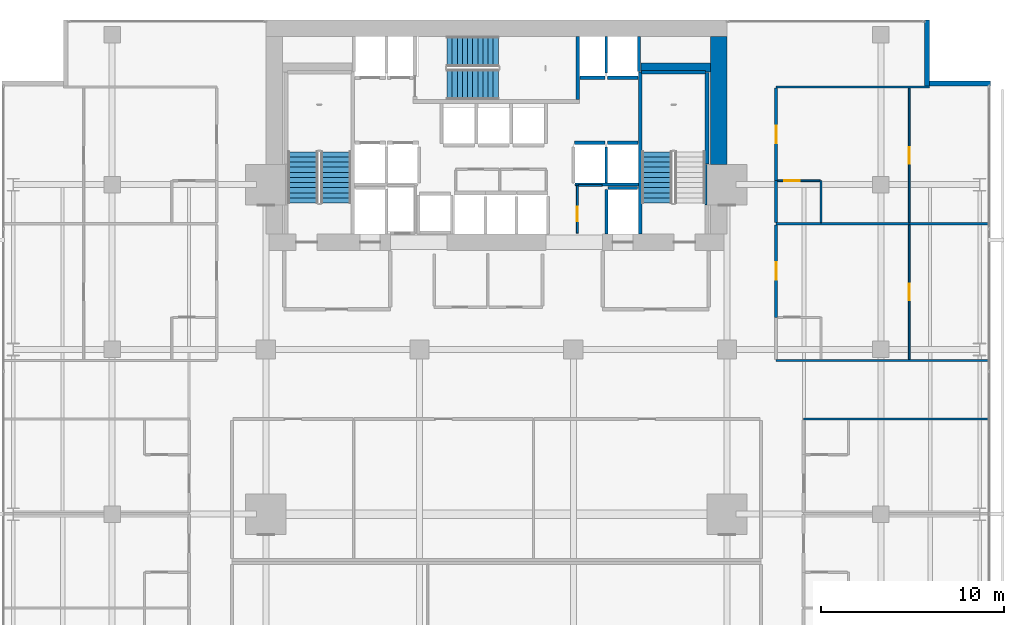
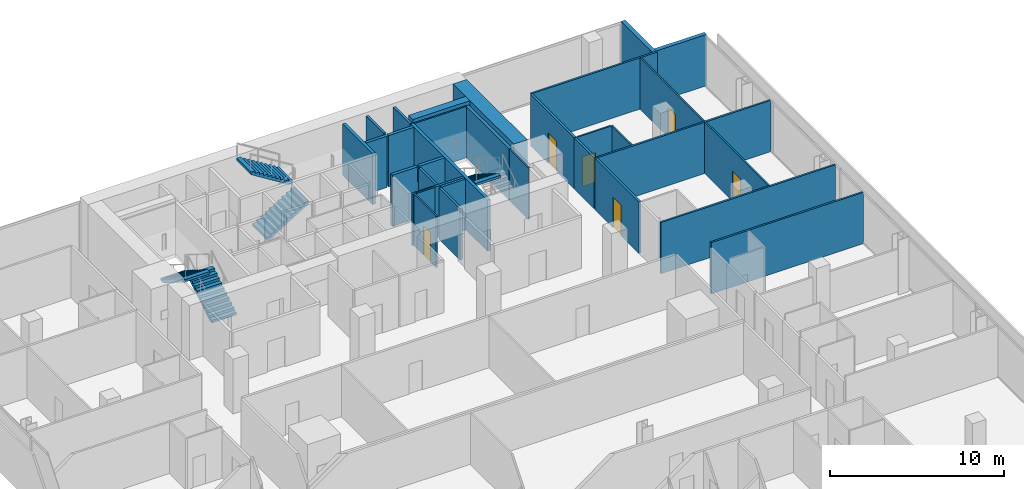
# One storey, part 37 of 40: 32 walls, 6 doors, 5 stair flights, 6 openings, 3 elements without a shape of their own.
"""IFC4 building model written with IfcOpenShell, lengths in metres."""

from ifc_helpers import new_model, si_unit, direction, frame, frame_2d, origin, place, context, subcontext, project, spatial, polyline, rectangle, outline, extrude, material, layer, layer_set, type_object, element, fill, aggregate, save


model = new_model("IFC4")

# Units and contexts
model_context = context("Model", 3, precision=1e-05, world=origin(), true_north=direction((0.0, 1.0)))
body_context = subcontext(model_context, "Body", "Model", "MODEL_VIEW")
ifc_project = project(units=[si_unit("LENGTHUNIT", "METRE"), si_unit("AREAUNIT", "SQUARE_METRE"), si_unit("VOLUMEUNIT", "CUBIC_METRE"), si_unit("PLANEANGLEUNIT", "RADIAN"), si_unit("MASSUNIT", "GRAM", prefix="KILO")], contexts=[model_context])

# Site, building, storey
site_placement = place(None, origin())
site = spatial("IfcSite", under=ifc_project, at=site_placement, CompositionType="ELEMENT")
building_placement = place(site_placement, origin())
building = spatial("IfcBuilding", under=site, at=building_placement, Name="Maruvema Waterfront Hotel and Observation Tower", CompositionType="ELEMENT")
storey_placement = place(building_placement, frame((0.0, 0.0, 50.050048828125)))
storey = spatial("IfcBuildingStorey", under=building, at=storey_placement, Name="L11", CompositionType="ELEMENT", Elevation=50.050048828125)

# Wall, opening, door
ifc_material_1 = material(Name="Twin-stud acoustic gypsum drywall", Category="gypsum")
ifc_layer_1 = layer(ifc_material_1, 0.14990234375, Name="Acoustic Corridor and Suite Demising Wall 150 mm")
ifc_layer_set_1 = layer_set([ifc_layer_1], Name="Twin-stud acoustic gypsum drywall")
wall_type_1 = type_object("IfcWallType", Name="Acoustic Corridor and Suite Demising Wall 150 mm", PredefinedType="PARTITIONING", material=ifc_layer_set_1)
wall_1_placement = place(storey_placement, frame((53.080078125, 37.75, 0.0), z_axis=(0.0, 0.0, 1.0), x_axis=(0.0, 1.0, 0.0)))
wall_1 = element("IfcWall", 1, at=wall_1_placement, inside=storey, type_object=wall_type_1, Name="L11 Room L11-NE1 Corridor Wall 107", PredefinedType="PARTITIONING", context=body_context, shape_type="SweptSolid", body=[
    extrude(rectangle(XDim=5.05859375, YDim=0.14990234375, at=frame_2d((2.529296875, 0.0))), origin(), (0.0, 0.0, 1.0), 3.60986328125),
])
opening_1_placement = place(wall_1_placement, frame((2.054443359375, 0.0, 0.0)))
opening_1 = element("IfcOpeningElement", 2, at=opening_1_placement, cuts=wall_1, Name="Opening DR-095", PredefinedType="OPENING", context=body_context, shape_type="SweptSolid", body=[
    extrude(rectangle(XDim=0.949951171875, YDim=2.14990234375, at=frame_2d((0.47509765625, 1.074951171875))), frame((0.0, 0.0849609375, 0.0), z_axis=(0.0, -1.0, 0.0), x_axis=(1.0, 0.0, 0.0)), (0.0, 0.0, 1.0), 0.169921875),
])
ifc_material_2 = material(Name="Acoustic solid-core hardwood timber leaf", Category="wood")
door_type_1 = type_object("IfcDoorType", Name="Guestroom Entrance Fire Door 950x2150 mm", OperationType="NOTDEFINED", PredefinedType="DOOR", material=ifc_material_2)
door_1_placement = place(opening_1_placement, frame((0.949951171875, 0.0, 0.0), z_axis=(0.0, 0.0, 1.0), x_axis=(-1.0, 0.0, 0.0)))
door_1 = element("IfcDoor", 3, at=door_1_placement, inside=storey, type_object=door_type_1, Name="L11 Room L11-NE1 Entrance Door", OperationType="SINGLE_SWING_LEFT", OverallHeight=2.14990234375, OverallWidth=0.949951171875, PredefinedType="DOOR", context=body_context, shape_type="SweptSolid", body=[
    extrude(rectangle(XDim=0.949951171875, YDim=2.14990234375, at=frame_2d((0.47509765625, 1.074951171875))), frame((0.0, 0.02490234375, 0.0), z_axis=(0.0, -1.0, 0.0), x_axis=(1.0, 0.0, 0.0)), (0.0, 0.0, 1.0), 0.050048828125),
])
fill(opening_1, door_1)

# Wall
wall_2_placement = place(storey_placement, frame((53.080078125, 42.9287109375, 0.0), z_axis=(0.0, 0.0, 1.0), x_axis=(0.0, 1.0, 0.0)))
element("IfcWall", 4, at=wall_2_placement, inside=storey, type_object=wall_type_1, Name="L11 Bath L11-NE2 Wall 118", PredefinedType="PARTITIONING", context=body_context, shape_type="SweptSolid", body=[
    extrude(rectangle(XDim=2.2900390625, YDim=0.14990234375, at=frame_2d((1.14501953125, 0.0))), origin(), (0.0, 0.0, 1.0), 3.60986328125),
])

# Wall, opening, door
wall_3_placement = place(storey_placement, frame((53.080078125, 45.21875, 0.0), z_axis=(0.0, 0.0, 1.0), x_axis=(0.0, 1.0, 0.0)))
wall_3 = element("IfcWall", 5, at=wall_3_placement, inside=storey, type_object=wall_type_1, Name="L11 Room L11-NE2 Corridor Wall 119", PredefinedType="PARTITIONING", context=body_context, shape_type="SweptSolid", body=[
    extrude(rectangle(XDim=5.058837890625, YDim=0.14990234375, at=frame_2d((2.529296875, 0.0))), origin(), (0.0, 0.0, 1.0), 3.60986328125),
])
opening_2_placement = place(wall_3_placement, frame((2.054443359375, 0.0, 0.0)))
opening_2 = element("IfcOpeningElement", 6, at=opening_2_placement, cuts=wall_3, Name="Opening DR-095", PredefinedType="OPENING", context=body_context, shape_type="SweptSolid", body=[
    extrude(rectangle(XDim=0.949951171875, YDim=2.14990234375, at=frame_2d((0.47509765625, 1.074951171875))), frame((0.0, 0.0849609375, 0.0), z_axis=(0.0, -1.0, 0.0), x_axis=(1.0, 0.0, 0.0)), (0.0, 0.0, 1.0), 0.169921875),
])
door_2_placement = place(opening_2_placement, frame((0.949951171875, 0.0, 0.0), z_axis=(0.0, 0.0, 1.0), x_axis=(-1.0, 0.0, 0.0)))
door_2 = element("IfcDoor", 7, at=door_2_placement, inside=storey, type_object=door_type_1, Name="L11 Room L11-NE2 Entrance Door", OperationType="SINGLE_SWING_LEFT", OverallHeight=2.14990234375, OverallWidth=0.949951171875, PredefinedType="DOOR", context=body_context, shape_type="SweptSolid", body=[
    extrude(rectangle(XDim=0.949951171875, YDim=2.14990234375, at=frame_2d((0.47509765625, 1.074951171875))), frame((0.0, 0.02490234375, 0.0), z_axis=(0.0, -1.0, 0.0), x_axis=(1.0, 0.0, 0.0)), (0.0, 0.0, 1.0), 0.050048828125),
])
fill(opening_2, door_2)

# Walls
ifc_material_3 = material(Name="Precast concrete C45/55", Category="concrete")
ifc_layer_2 = layer(ifc_material_3, 0.199951171875, Name="Core Shaft and Stairwell Enclosure Wall 200 mm")
ifc_layer_set_2 = layer_set([ifc_layer_2], Name="Precast concrete C45/55")
wall_type_2 = type_object("IfcWallType", Name="Core Shaft and Stairwell Enclosure Wall 200 mm", PredefinedType="SOLIDWALL", material=ifc_layer_set_2)
wall_4_placement = place(storey_placement, frame((42.25, 49.64990234375, 0.0), z_axis=(0.0, 0.0, 1.0), x_axis=(0.0, 1.0, 0.0)))
element("IfcWall", 8, at=wall_4_placement, inside=storey, type_object=wall_type_2, Name="L11 Stairwell ST-02 Shaft Wall", PredefinedType="SOLIDWALL", context=body_context, shape_type="SweptSolid", body=[
    extrude(rectangle(XDim=3.4501953125, YDim=0.199951171875, at=frame_2d((1.72509765625, 0.0))), origin(), (0.0, 0.0, 1.0), 3.60986328125),
])
wall_5_placement = place(storey_placement, frame((45.64990234375, 42.300048828125, 0.0), z_axis=(0.0, 0.0, 1.0), x_axis=(0.0, 1.0, 0.0)))
element("IfcWall", 9, at=wall_5_placement, inside=storey, type_object=wall_type_2, Name="L11 Stairwell ST-03 West Shaft Wall", PredefinedType="SOLIDWALL", context=body_context, shape_type="SweptSolid", body=[
    extrude(rectangle(XDim=8.849853515625, YDim=0.199951171875, at=frame_2d((4.4248046875, 0.0))), origin(), (0.0, 0.0, 1.0), 3.60986328125),
])
wall_6_placement = place(storey_placement, frame((49.300048828125, 46.1201171875, 0.0), z_axis=(0.0, 0.0, 1.0), x_axis=(0.0, 1.0, 0.0)))
element("IfcWall", 10, at=wall_6_placement, inside=storey, type_object=wall_type_2, Name="L11 Stairwell ST-03 Shaft Lining Wall", PredefinedType="SOLIDWALL", context=body_context, shape_type="SweptSolid", body=[
    extrude(rectangle(XDim=5.0, YDim=0.199951171875, at=frame_2d((2.5, 0.0))), origin(), (0.0, 0.0, 1.0), 3.60986328125),
])
wall_7_placement = place(storey_placement, frame((45.719970703125, 51.14990234375, 0.0), z_axis=(0.0, 0.0, 1.0), x_axis=(1.0, 0.0, 0.0)))
element("IfcWall", 11, at=wall_7_placement, inside=storey, type_object=wall_type_2, Name="L11 Stairwell ST-03 Shaft Lining Wall", PredefinedType="SOLIDWALL", context=body_context, shape_type="SweptSolid", body=[
    extrude(rectangle(XDim=3.5, YDim=0.199951171875, at=frame_2d((1.75, 0.0))), origin(), (0.0, 0.0, 1.0), 3.60986328125),
])
for number, where, z_axis, x_axis, name in (
    (12, (42.06005859375, 47.300048828125, 0.0), (0.0, 0.0, 1.0), (1.0, 0.0, 0.0), "L11 Lift LF-05 Hoistway Front Wall"),
    (13, (43.860107421875, 47.300048828125, 0.0), (0.0, 0.0, 1.0), (1.0, 0.0, 0.0), "L11 Lift LF-06 Hoistway Front Wall"),
):
    element("IfcWall", number, at=place(storey_placement, frame(where, z_axis=z_axis, x_axis=x_axis)), inside=storey, type_object=wall_type_2, Name=name, PredefinedType="SOLIDWALL", context=body_context, shape_type="SweptSolid", body=[
        extrude(rectangle(XDim=1.679931640625, YDim=0.199951171875, at=frame_2d((0.83984375, 0.0))), origin(), (0.0, 0.0, 1.0), 3.60986328125),
    ])
wall_8_placement = place(storey_placement, frame((42.360107421875, 50.85009765625, 0.0), z_axis=(0.0, 0.0, 1.0), x_axis=(1.0, 0.0, 0.0)))
element("IfcWall", 14, at=wall_8_placement, inside=storey, type_object=wall_type_2, Name="L11 Lift LF-07 Hoistway Front Wall", PredefinedType="SOLIDWALL", context=body_context, shape_type="SweptSolid", body=[
    extrude(rectangle(XDim=1.3798828125, YDim=0.199951171875, at=frame_2d((0.68994140625, 0.0))), origin(), (0.0, 0.0, 1.0), 3.60986328125),
])
wall_9_placement = place(storey_placement, frame((43.860107421875, 50.85009765625, 0.0), z_axis=(0.0, 0.0, 1.0), x_axis=(1.0, 0.0, 0.0)))
element("IfcWall", 15, at=wall_9_placement, inside=storey, type_object=wall_type_2, Name="L11 Lift LF-08 Hoistway Front Wall", PredefinedType="SOLIDWALL", context=body_context, shape_type="SweptSolid", body=[
    extrude(rectangle(XDim=1.679931640625, YDim=0.199951171875, at=frame_2d((0.83984375, 0.0))), origin(), (0.0, 0.0, 1.0), 3.60986328125),
])
ifc_material_4 = material(Name="Concrete C70/85", Category="concrete")
ifc_layer_3 = layer(ifc_material_4, 0.5, Name="Core Shear Wall 500 mm")
ifc_layer_set_3 = layer_set([ifc_layer_3], Name="Concrete C70/85")
wall_type_3 = type_object("IfcWallType", Name="Core Shear Wall 500 mm", PredefinedType="SHEAR", material=ifc_layer_set_3)
wall_10_placement = place(storey_placement, frame((45.699951171875, 51.39990234375, 0.0), z_axis=(0.0, 0.0, 1.0), x_axis=(1.0, 0.0, 0.0)))
element("IfcWall", 16, at=wall_10_placement, inside=storey, type_object=wall_type_3, Name="L11 Internal Core Shear Wall NE 500 mm", PredefinedType="SHEAR", context=body_context, shape_type="SweptSolid", body=[
    extrude(rectangle(XDim=3.800048828125, YDim=0.5, at=frame_2d((1.89990234375, 0.0))), origin(), (0.0, 0.0, 1.0), 3.849853515625),
])
ifc_material_5 = material(Name="Concrete C80/95", Category="concrete")
ifc_layer_4 = layer(ifc_material_5, 0.89990234375, Name="Core Shear Wall 900 mm")
ifc_layer_set_4 = layer_set([ifc_layer_4], Name="Concrete C80/95")
wall_type_4 = type_object("IfcWallType", Name="Core Shear Wall 900 mm", PredefinedType="SHEAR", material=ifc_layer_set_4)
wall_11_placement = place(storey_placement, frame((49.949951171875, 46.10009765625, 0.0), z_axis=(0.0, 0.0, 1.0), x_axis=(0.0, 1.0, 0.0)))
element("IfcWall", 17, at=wall_11_placement, inside=storey, type_object=wall_type_4, Name="L11 East-North Core Shear Wall", PredefinedType="SHEAR", context=body_context, shape_type="SweptSolid", body=[
    extrude(rectangle(XDim=7.0, YDim=0.89990234375, at=frame_2d((3.5, 0.0))), origin(), (0.0, 0.0, 1.0), 3.849853515625),
])

# Wall, opening, door
ifc_material_6 = material(Name="Moisture-resistant cement-board drywall", Category="gypsum")
ifc_layer_5 = layer(ifc_material_6, 0.10009765625, Name="En-Suite Moisture-Resistant Partition 100 mm")
ifc_layer_set_5 = layer_set([ifc_layer_5], Name="Moisture-resistant cement-board drywall")
wall_type_5 = type_object("IfcWallType", Name="En-Suite Moisture-Resistant Partition 100 mm", PredefinedType="PARTITIONING", material=ifc_layer_set_5)
wall_12_placement = place(storey_placement, frame((42.219970703125, 42.35009765625, 0.0), z_axis=(0.0, 0.0, 1.0), x_axis=(0.0, 1.0, 0.0)))
wall_12 = element("IfcWall", 18, at=wall_12_placement, inside=storey, type_object=wall_type_5, Name="L11 Core Closet K2C West 015", PredefinedType="PARTITIONING", context=body_context, shape_type="SweptSolid", body=[
    extrude(rectangle(XDim=2.60986328125, YDim=0.10009765625, at=frame_2d((1.304931640625, 0.0))), origin(), (0.0, 0.0, 1.0), 3.60986328125),
])
opening_3_placement = place(wall_12_placement, frame((0.64990234375, 0.0, 0.0)))
opening_3 = element("IfcOpeningElement", 19, at=opening_3_placement, cuts=wall_12, Name="Opening DR-080", PredefinedType="OPENING", context=body_context, shape_type="SweptSolid", body=[
    extrude(rectangle(XDim=0.800048828125, YDim=2.050048828125, at=frame_2d((0.39990234375, 1.02490234375))), frame((0.0, 0.06005859375, 0.0), z_axis=(0.0, -1.0, 0.0), x_axis=(1.0, 0.0, 0.0)), (0.0, 0.0, 1.0), 0.1201171875),
])
ifc_material_7 = material(Name="Powder-coated steel access leaf", Category="steel")
door_type_2 = type_object("IfcDoorType", Name="Riser and Service Cupboard Door 800x2050 mm", OperationType="NOTDEFINED", PredefinedType="DOOR", material=ifc_material_7)
door_3_placement = place(opening_3_placement, frame((0.800048828125, 0.0, 0.0), z_axis=(0.0, 0.0, 1.0), x_axis=(-1.0, 0.0, 0.0)))
door_3 = element("IfcDoor", 20, at=door_3_placement, inside=storey, type_object=door_type_2, Name="L11 Core Housekeeping Closet Door", OperationType="SINGLE_SWING_LEFT", OverallHeight=2.050048828125, OverallWidth=0.800048828125, PredefinedType="DOOR", context=body_context, shape_type="SweptSolid", body=[
    extrude(rectangle(XDim=0.800048828125, YDim=2.050048828125, at=frame_2d((0.39990234375, 1.02490234375))), frame((0.0, 0.02490234375, 0.0), z_axis=(0.0, -1.0, 0.0), x_axis=(1.0, 0.0, 0.0)), (0.0, 0.0, 1.0), 0.050048828125),
])
fill(opening_3, door_3)

# Wall
wall_13_placement = place(storey_placement, frame((42.280029296875, 44.9599609375, 0.0), z_axis=(0.0, 0.0, 1.0), x_axis=(1.0, 0.0, 0.0)))
element("IfcWall", 21, at=wall_13_placement, inside=storey, type_object=wall_type_5, Name="L11 Core Closet K2C North 016", PredefinedType="PARTITIONING", context=body_context, shape_type="SweptSolid", body=[
    extrude(rectangle(XDim=1.300048828125, YDim=0.10009765625, at=frame_2d((0.64990234375, 0.0))), origin(), (0.0, 0.0, 1.0), 3.60986328125),
])

# Wall, opening, door
wall_14_placement = place(storey_placement, frame((60.350341796875, 35.4599609375, 0.0), z_axis=(0.0, 0.0, 1.0), x_axis=(0.0, 1.0, 0.0)))
wall_14 = element("IfcWall", 22, at=wall_14_placement, inside=storey, type_object=wall_type_5, Name="L11 Suite L11-NE1 Split 110", PredefinedType="PARTITIONING", context=body_context, shape_type="SweptSolid", body=[
    extrude(rectangle(XDim=7.3486328125, YDim=0.10009765625, at=frame_2d((3.67431640625, 0.0))), origin(), (0.0, 0.0, 1.0), 3.60986328125),
])
opening_4_placement = place(wall_14_placement, frame((3.224365234375, 0.0, 0.0)))
opening_4 = element("IfcOpeningElement", 23, at=opening_4_placement, cuts=wall_14, Name="Opening DR-090", PredefinedType="OPENING", context=body_context, shape_type="SweptSolid", body=[
    extrude(rectangle(XDim=0.89990234375, YDim=2.10009765625, at=frame_2d((0.449951171875, 1.050048828125))), frame((0.0, 0.06005859375, 0.0), z_axis=(0.0, -1.0, 0.0), x_axis=(1.0, 0.0, 0.0)), (0.0, 0.0, 1.0), 0.1201171875),
])
ifc_material_8 = material(Name="Solid-core lacquered timber leaf", Category="wood")
door_type_3 = type_object("IfcDoorType", Name="Accessible Toilet and Room Door 900x2100 mm", OperationType="NOTDEFINED", PredefinedType="DOOR", material=ifc_material_8)
door_4_placement = place(opening_4_placement, frame((0.89990234375, 0.0, 0.0), z_axis=(0.0, 0.0, 1.0), x_axis=(-1.0, 0.0, 0.0)))
door_4 = element("IfcDoor", 24, at=door_4_placement, inside=storey, type_object=door_type_3, Name="L11 Suite L11-NE1 Bedroom Door", OperationType="SINGLE_SWING_RIGHT", OverallHeight=2.10009765625, OverallWidth=0.89990234375, PredefinedType="DOOR", context=body_context, shape_type="SweptSolid", body=[
    extrude(rectangle(XDim=0.89990234375, YDim=2.10009765625, at=frame_2d((0.449951171875, 1.050048828125))), frame((0.0, 0.02490234375, 0.0), z_axis=(0.0, -1.0, 0.0), x_axis=(1.0, 0.0, 0.0)), (0.0, 0.0, 1.0), 0.050048828125),
])
fill(opening_4, door_4)

# Wall
wall_15_placement = place(storey_placement, frame((55.530029296875, 42.9287109375, 0.0), z_axis=(0.0, 0.0, 1.0), x_axis=(0.0, 1.0, 0.0)))
element("IfcWall", 25, at=wall_15_placement, inside=storey, type_object=wall_type_5, Name="L11 En-Suite L11-NE2 E 120", PredefinedType="PARTITIONING", context=body_context, shape_type="SweptSolid", body=[
    extrude(rectangle(XDim=2.2900390625, YDim=0.10009765625, at=frame_2d((1.14501953125, 0.0))), origin(), (0.0, 0.0, 1.0), 3.60986328125),
])

# Wall, opening, door
wall_16_placement = place(storey_placement, frame((53.179931640625, 45.21875, 0.0), z_axis=(0.0, 0.0, 1.0), x_axis=(1.0, 0.0, 0.0)))
wall_16 = element("IfcWall", 26, at=wall_16_placement, inside=storey, type_object=wall_type_5, Name="L11 En-Suite L11-NE2 N 121", PredefinedType="PARTITIONING", context=body_context, shape_type="SweptSolid", body=[
    extrude(rectangle(XDim=2.300048828125, YDim=0.10009765625, at=frame_2d((1.14990234375, 0.0))), origin(), (0.0, 0.0, 1.0), 3.60986328125),
])
opening_5_placement = place(wall_16_placement, frame((0.35009765625, 0.0, 0.0)))
opening_5 = element("IfcOpeningElement", 27, at=opening_5_placement, cuts=wall_16, Name="Opening DR-085", PredefinedType="OPENING", context=body_context, shape_type="SweptSolid", body=[
    extrude(rectangle(XDim=0.85009765625, YDim=2.10009765625, at=frame_2d((0.425048828125, 1.050048828125))), frame((0.0, 0.06005859375, 0.0), z_axis=(0.0, -1.0, 0.0), x_axis=(1.0, 0.0, 0.0)), (0.0, 0.0, 1.0), 0.1201171875),
])
ifc_material_9 = material(Name="Moisture-resistant solid timber leaf", Category="wood")
door_type_4 = type_object("IfcDoorType", Name="En-Suite Bathroom Door 850x2100 mm", OperationType="NOTDEFINED", PredefinedType="DOOR", material=ifc_material_9)
door_5_placement = place(opening_5_placement, origin())
door_5 = element("IfcDoor", 28, at=door_5_placement, inside=storey, type_object=door_type_4, Name="L11 En-Suite L11-NE2 Door", OperationType="SINGLE_SWING_RIGHT", OverallHeight=2.10009765625, OverallWidth=0.85009765625, PredefinedType="DOOR", context=body_context, shape_type="SweptSolid", body=[
    extrude(rectangle(XDim=0.85009765625, YDim=2.10009765625, at=frame_2d((0.425048828125, 1.050048828125))), frame((0.0, 0.02490234375, 0.0), z_axis=(0.0, -1.0, 0.0), x_axis=(1.0, 0.0, 0.0)), (0.0, 0.0, 1.0), 0.050048828125),
])
fill(opening_5, door_5)

wall_17_placement = place(storey_placement, frame((60.350341796875, 42.9287109375, 0.0), z_axis=(0.0, 0.0, 1.0), x_axis=(0.0, 1.0, 0.0)))
wall_17 = element("IfcWall", 29, at=wall_17_placement, inside=storey, type_object=wall_type_5, Name="L11 Suite L11-NE2 Split 122", PredefinedType="PARTITIONING", context=body_context, shape_type="SweptSolid", body=[
    extrude(rectangle(XDim=7.348876953125, YDim=0.10009765625, at=frame_2d((3.67431640625, 0.0))), origin(), (0.0, 0.0, 1.0), 3.60986328125),
])
opening_6_placement = place(wall_17_placement, frame((3.224365234375, 0.0, 0.0)))
opening_6 = element("IfcOpeningElement", 30, at=opening_6_placement, cuts=wall_17, Name="Opening DR-090", PredefinedType="OPENING", context=body_context, shape_type="SweptSolid", body=[
    extrude(rectangle(XDim=0.89990234375, YDim=2.10009765625, at=frame_2d((0.449951171875, 1.050048828125))), frame((0.0, 0.06005859375, 0.0), z_axis=(0.0, -1.0, 0.0), x_axis=(1.0, 0.0, 0.0)), (0.0, 0.0, 1.0), 0.1201171875),
])
door_6_placement = place(opening_6_placement, frame((0.89990234375, 0.0, 0.0), z_axis=(0.0, 0.0, 1.0), x_axis=(-1.0, 0.0, 0.0)))
door_6 = element("IfcDoor", 31, at=door_6_placement, inside=storey, type_object=door_type_3, Name="L11 Suite L11-NE2 Bedroom Door", OperationType="SINGLE_SWING_RIGHT", OverallHeight=2.10009765625, OverallWidth=0.89990234375, PredefinedType="DOOR", context=body_context, shape_type="SweptSolid", body=[
    extrude(rectangle(XDim=0.89990234375, YDim=2.10009765625, at=frame_2d((0.449951171875, 1.050048828125))), frame((0.0, 0.02490234375, 0.0), z_axis=(0.0, -1.0, 0.0), x_axis=(1.0, 0.0, 0.0)), (0.0, 0.0, 1.0), 0.050048828125),
])
fill(opening_6, door_6)

# Walls
ifc_material_10 = material(Name="Precast concrete C45/55 with honed Pernambuco granite facing", Category="masonry")
ifc_layer_6 = layer(ifc_material_10, 0.260009765625, Name="Exterior Granite Clad Spandrel and Pier Wall 260 mm")
ifc_layer_set_6 = layer_set([ifc_layer_6], Name="Precast concrete C45/55 with honed Pernambuco granite facing")
wall_type_6 = type_object("IfcWallType", Name="Exterior Granite Clad Spandrel and Pier Wall 260 mm", PredefinedType="SOLIDWALL", material=ifc_layer_set_6)
for number, where, z_axis, x_axis, name in (
    (32, (61.330078125, 54.0, 0.0), (0.0, 0.0, 1.0), (0.0, -1.0, 0.0), "L11 Corner Notch Granite Pier Wall NE1"),
    (33, (61.199951171875, 50.530029296875, 0.0), (0.0, 0.0, 1.0), (1.0, 0.0, 0.0), "L11 Corner Notch Granite Pier Wall NE2"),
):
    element("IfcWall", number, at=place(storey_placement, frame(where, z_axis=z_axis, x_axis=x_axis)), inside=storey, type_object=wall_type_6, Name=name, PredefinedType="SOLIDWALL", context=body_context, shape_type="SweptSolid", body=[
        extrude(rectangle(XDim=3.60009765625, YDim=0.260009765625, at=frame_2d((1.800048828125, 0.0))), origin(), (0.0, 0.0, 1.0), 3.60986328125),
    ])
ifc_material_11 = material(Name="Acoustic gypsum plasterboard drywall", Category="gypsum")
ifc_layer_7 = layer(ifc_material_11, 0.125, Name="Guestroom Acoustic Demising Wall 125 mm")
ifc_layer_set_7 = layer_set([ifc_layer_7], Name="Acoustic gypsum plasterboard drywall")
wall_type_7 = type_object("IfcWallType", Name="Guestroom Acoustic Demising Wall 125 mm", PredefinedType="PARTITIONING", material=ifc_layer_set_7)
wall_18_placement = place(storey_placement, frame((54.580078125, 32.199951171875, 0.0), z_axis=(0.0, 0.0, 1.0), x_axis=(1.0, 0.0, 0.0)))
element("IfcWall", 34, at=wall_18_placement, inside=storey, type_object=wall_type_7, Name="L11 E Top End 068", PredefinedType="PARTITIONING", context=body_context, shape_type="SweptSolid", body=[
    extrude(rectangle(XDim=10.119873046875, YDim=0.125, at=frame_2d((5.06005859375, 0.0))), origin(), (0.0, 0.0, 1.0), 3.60986328125),
])
wall_19_placement = place(storey_placement, frame((53.080078125, 35.39990234375, 0.0), z_axis=(0.0, 0.0, 1.0), x_axis=(1.0, 0.0, 0.0)))
element("IfcWall", 35, at=wall_19_placement, inside=storey, type_object=wall_type_7, Name="L11 NE Bot End 098", PredefinedType="PARTITIONING", context=body_context, shape_type="SweptSolid", body=[
    extrude(rectangle(XDim=11.619873046875, YDim=0.125, at=frame_2d((5.81005859375, 0.0))), origin(), (0.0, 0.0, 1.0), 3.60986328125),
])
wall_20_placement = place(storey_placement, frame((53.080078125, 50.33740234375, 0.0), z_axis=(0.0, 0.0, 1.0), x_axis=(1.0, 0.0, 0.0)))
element("IfcWall", 36, at=wall_20_placement, inside=storey, type_object=wall_type_7, Name="L11 NE Top End 100", PredefinedType="PARTITIONING", context=body_context, shape_type="SweptSolid", body=[
    extrude(rectangle(XDim=8.3798828125, YDim=0.125, at=frame_2d((4.18994140625, 0.0))), origin(), (0.0, 0.0, 1.0), 3.60986328125),
])
wall_21_placement = place(storey_placement, frame((53.080078125, 42.86865234375, 0.0), z_axis=(0.0, 0.0, 1.0), x_axis=(1.0, 0.0, 0.0)))
element("IfcWall", 37, at=wall_21_placement, inside=storey, type_object=wall_type_7, Name="L11 NE Demising 2 112", PredefinedType="PARTITIONING", context=body_context, shape_type="SweptSolid", body=[
    extrude(rectangle(XDim=11.619873046875, YDim=0.125, at=frame_2d((5.81005859375, 0.0))), origin(), (0.0, 0.0, 1.0), 3.60986328125),
])
ifc_material_12 = material(Name="Precast concrete C45/55", Category="concrete")
ifc_layer_8 = layer(ifc_material_12, 0.159912109375, Name="Lift Hoistway Divider Wall 160 mm")
ifc_layer_set_8 = layer_set([ifc_layer_8], Name="Precast concrete C45/55")
wall_type_8 = type_object("IfcWallType", Name="Lift Hoistway Divider Wall 160 mm", PredefinedType="SOLIDWALL", material=ifc_layer_set_8)
wall_22_placement = place(storey_placement, frame((43.89990234375, 44.830078125, 0.0), z_axis=(0.0, 0.0, 1.0), x_axis=(1.0, 0.0, 0.0)))
element("IfcWall", 38, at=wall_22_placement, inside=storey, type_object=wall_type_8, Name="L11 Lift FL-02 Rear Hoistway Wall", PredefinedType="SOLIDWALL", context=body_context, shape_type="SweptSolid", body=[
    extrude(rectangle(XDim=1.60009765625, YDim=0.159912109375, at=frame_2d((0.800048828125, 0.0))), origin(), (0.0, 0.0, 1.0), 3.60986328125),
])
wall_23_placement = place(storey_placement, frame((43.820068359375, 42.300048828125, 0.0), z_axis=(0.0, 0.0, 1.0), x_axis=(0.0, 1.0, 0.0)))
element("IfcWall", 39, at=wall_23_placement, inside=storey, type_object=wall_type_8, Name="L11 Lift FL-02 Inner Hoistway Wall", PredefinedType="SOLIDWALL", context=body_context, shape_type="SweptSolid", body=[
    extrude(rectangle(XDim=2.43994140625, YDim=0.159912109375, at=frame_2d((1.219970703125, 0.0))), origin(), (0.0, 0.0, 1.0), 3.60986328125),
])
wall_24_placement = place(storey_placement, frame((43.800048828125, 45.10009765625, 0.0), z_axis=(0.0, 0.0, 1.0), x_axis=(0.0, 1.0, 0.0)))
element("IfcWall", 40, at=wall_24_placement, inside=storey, type_object=wall_type_8, Name="L11 Hoistway Divider Wall", PredefinedType="SOLIDWALL", context=body_context, shape_type="SweptSolid", body=[
    extrude(rectangle(XDim=1.949951171875, YDim=0.159912109375, at=frame_2d((0.97509765625, 0.0))), origin(), (0.0, 0.0, 1.0), 3.60986328125),
])
wall_25_placement = place(storey_placement, frame((42.10009765625, 45.010009765625, 0.0), z_axis=(0.0, 0.0, 1.0), x_axis=(1.0, 0.0, 0.0)))
element("IfcWall", 41, at=wall_25_placement, inside=storey, type_object=wall_type_8, Name="L11 Hoistway Divider Wall", PredefinedType="SOLIDWALL", context=body_context, shape_type="SweptSolid", body=[
    extrude(rectangle(XDim=3.449951171875, YDim=0.159912109375, at=frame_2d((1.72509765625, 0.0))), origin(), (0.0, 0.0, 1.0), 3.60986328125),
])
wall_26_placement = place(storey_placement, frame((45.590087890625, 51.179931640625, 0.0), z_axis=(0.0, 0.0, 1.0), x_axis=(0.0, 1.0, 0.0)))
element("IfcWall", 42, at=wall_26_placement, inside=storey, type_object=wall_type_8, Name="L11 Hoistway Divider Wall", PredefinedType="SOLIDWALL", context=body_context, shape_type="SweptSolid", body=[
    extrude(rectangle(XDim=1.920166015625, YDim=0.159912109375, at=frame_2d((0.9599609375, 0.0))), origin(), (0.0, 0.0, 1.0), 3.60986328125),
])
wall_27_placement = place(storey_placement, frame((43.800048828125, 51.10009765625, 0.0), z_axis=(0.0, 0.0, 1.0), x_axis=(0.0, 1.0, 0.0)))
element("IfcWall", 43, at=wall_27_placement, inside=storey, type_object=wall_type_8, Name="L11 Hoistway Divider Wall", PredefinedType="SOLIDWALL", context=body_context, shape_type="SweptSolid", body=[
    extrude(rectangle(XDim=2.0, YDim=0.159912109375, at=frame_2d((1.0, 0.0))), origin(), (0.0, 0.0, 1.0), 3.60986328125),
])
ifc_material_13 = material(Name="Precast concrete C45/55", Category="concrete")
ifc_layer_9 = layer(ifc_material_13, 0.10009765625, Name="Stairwell Stringer Cheek Wall 100 mm")
ifc_layer_set_9 = layer_set([ifc_layer_9], Name="Precast concrete C45/55")
wall_type_9 = type_object("IfcWallType", Name="Stairwell Stringer Cheek Wall 100 mm", PredefinedType="SOLIDWALL", material=ifc_layer_set_9)
wall_28_placement = place(storey_placement, frame((49.248046875, 43.89990234375, 0.0), z_axis=(0.0, 0.0, 1.0), x_axis=(0.0, 1.0, 0.0)))
element("IfcWall", 44, at=wall_28_placement, inside=storey, type_object=wall_type_9, Name="L11 Stairwell ST-03 Mega-Column Cheek Wall", PredefinedType="SOLIDWALL", context=body_context, shape_type="SweptSolid", body=[
    extrude(rectangle(XDim=2.2001953125, YDim=0.10009765625, at=frame_2d((1.10009765625, 0.0))), origin(), (0.0, 0.0, 1.0), 3.60986328125),
])

# Stair, stair flights
ifc_material_14 = material(Name="Concrete C50/60", Category="concrete")
stair_type = type_object("IfcStairType", Name="Dogleg Exit Stair 1650 mm (22R x 175.0 mm)", PredefinedType="HALF_TURN_STAIR", material=ifc_material_14)
stair_1_placement = place(storey_placement, origin())
stair_1 = element("IfcStair", 45, at=stair_1_placement, inside=storey, type_object=stair_type, Name="L11 ST-01", PredefinedType="HALF_TURN_STAIR")
ifc_material_15 = material(Name="Concrete C50/60", Category="concrete")
stair_flight_type = type_object("IfcStairFlightType", Name="Reinforced Concrete Stair Flight 1650 mm (11R x 175.0 mm)", PredefinedType="STRAIGHT", material=ifc_material_15)
stair_flight_1_placement = place(storey_placement, frame((29.02490234375, 44.0, 0.0), z_axis=(0.0, 0.0, 1.0), x_axis=(0.0, 1.0, 0.0)))
stair_flight_1 = element("IfcStairFlight", 46, at=stair_flight_1_placement, type_object=stair_flight_type, Name="ST-01 flight 1", NumberOfRisers=11, NumberOfTreads=10, PredefinedType="STRAIGHT", RiserHeight=0.175, TreadLength=0.28, context=body_context, shape_type="SweptSolid", body=[
    extrude(outline(polyline([(0.0, 0.0), (0.0, 0.175048828125), (0.280029296875, 0.175048828125), (0.280029296875, 0.35009765625), (0.56005859375, 0.35009765625), (0.56005859375, 0.52490234375), (0.840087890625, 0.52490234375), (0.840087890625, 0.699951171875), (1.1201171875, 0.699951171875), (1.1201171875, 0.875), (1.39990234375, 0.875), (1.39990234375, 1.050048828125), (1.679931640625, 1.050048828125), (1.679931640625, 1.22509765625), (1.9599609375, 1.22509765625), (1.9599609375, 1.39990234375), (2.239990234375, 1.39990234375), (2.239990234375, 1.574951171875), (2.52001953125, 1.574951171875), (2.52001953125, 1.75), (2.800048828125, 1.75), (2.800048828125, 1.925048828125), (2.800048828125, 1.5732421875), (0.28271484375, 0.0), (0.0, 0.0)])), frame((0.0, 0.824951171875, 0.0), z_axis=(0.0, -1.0, 0.0), x_axis=(1.0, 0.0, 0.0)), (0.0, 0.0, 1.0), 1.64990234375),
])
stair_flight_2_placement = place(storey_placement, frame((27.22509765625, 46.800048828125, 1.925048828125), z_axis=(0.0, 0.0, 1.0), x_axis=(0.0, -1.0, 0.0)))
stair_flight_2 = element("IfcStairFlight", 47, at=stair_flight_2_placement, type_object=stair_flight_type, Name="ST-01 flight 2", NumberOfRisers=11, NumberOfTreads=10, PredefinedType="STRAIGHT", RiserHeight=0.175, TreadLength=0.28, context=body_context, shape_type="SweptSolid", body=[
    extrude(outline(polyline([(0.0, 0.0), (0.0, 0.175048828125), (0.280029296875, 0.175048828125), (0.280029296875, 0.35009765625), (0.56005859375, 0.35009765625), (0.56005859375, 0.52490234375), (0.840087890625, 0.52490234375), (0.840087890625, 0.699951171875), (1.1201171875, 0.699951171875), (1.1201171875, 0.875), (1.39990234375, 0.875), (1.39990234375, 1.050048828125), (1.679931640625, 1.050048828125), (1.679931640625, 1.22509765625), (1.9599609375, 1.22509765625), (1.9599609375, 1.39990234375), (2.239990234375, 1.39990234375), (2.239990234375, 1.574951171875), (2.52001953125, 1.574951171875), (2.52001953125, 1.75), (2.800048828125, 1.75), (2.800048828125, 1.925048828125), (2.800048828125, 1.5732421875), (0.28271484375, 0.0), (0.0, 0.0)])), frame((0.0, 0.824951171875, 0.0), z_axis=(0.0, -1.0, 0.0), x_axis=(1.0, 0.0, 0.0)), (0.0, 0.0, 1.0), 1.64990234375),
])
aggregate(stair_1, [stair_flight_1, stair_flight_2])

stair_2_placement = place(storey_placement, origin())
stair_2 = element("IfcStair", 48, at=stair_2_placement, inside=storey, type_object=stair_type, Name="L11 ST-02", PredefinedType="HALF_TURN_STAIR")
stair_flight_3_placement = place(storey_placement, frame((35.10009765625, 50.47509765625, 0.0), z_axis=(0.0, 0.0, 1.0), x_axis=(1.0, 0.0, 0.0)))
stair_flight_3 = element("IfcStairFlight", 49, at=stair_flight_3_placement, type_object=stair_flight_type, Name="ST-02 flight 1", NumberOfRisers=11, NumberOfTreads=10, PredefinedType="STRAIGHT", RiserHeight=0.175, TreadLength=0.28, context=body_context, shape_type="SweptSolid", body=[
    extrude(outline(polyline([(0.0, 0.0), (0.0, 0.175048828125), (0.280029296875, 0.175048828125), (0.280029296875, 0.35009765625), (0.56005859375, 0.35009765625), (0.56005859375, 0.52490234375), (0.840087890625, 0.52490234375), (0.840087890625, 0.699951171875), (1.1201171875, 0.699951171875), (1.1201171875, 0.875), (1.39990234375, 0.875), (1.39990234375, 1.050048828125), (1.679931640625, 1.050048828125), (1.679931640625, 1.22509765625), (1.9599609375, 1.22509765625), (1.9599609375, 1.39990234375), (2.239990234375, 1.39990234375), (2.239990234375, 1.574951171875), (2.52001953125, 1.574951171875), (2.52001953125, 1.75), (2.800048828125, 1.75), (2.800048828125, 1.925048828125), (2.800048828125, 1.5732421875), (0.28271484375, 0.0), (0.0, 0.0)])), frame((0.0, 0.824951171875, 0.0), z_axis=(0.0, -1.0, 0.0), x_axis=(1.0, 0.0, 0.0)), (0.0, 0.0, 1.0), 1.64990234375),
])
stair_flight_4_placement = place(storey_placement, frame((37.89990234375, 52.27490234375, 1.925048828125), z_axis=(0.0, 0.0, 1.0), x_axis=(-1.0, 0.0, 0.0)))
stair_flight_4 = element("IfcStairFlight", 50, at=stair_flight_4_placement, type_object=stair_flight_type, Name="ST-02 flight 2", NumberOfRisers=11, NumberOfTreads=10, PredefinedType="STRAIGHT", RiserHeight=0.175, TreadLength=0.28, context=body_context, shape_type="SweptSolid", body=[
    extrude(outline(polyline([(0.0, 0.0), (0.0, 0.175048828125), (0.280029296875, 0.175048828125), (0.280029296875, 0.35009765625), (0.56005859375, 0.35009765625), (0.56005859375, 0.52490234375), (0.840087890625, 0.52490234375), (0.840087890625, 0.699951171875), (1.1201171875, 0.699951171875), (1.1201171875, 0.875), (1.39990234375, 0.875), (1.39990234375, 1.050048828125), (1.679931640625, 1.050048828125), (1.679931640625, 1.22509765625), (1.9599609375, 1.22509765625), (1.9599609375, 1.39990234375), (2.239990234375, 1.39990234375), (2.239990234375, 1.574951171875), (2.52001953125, 1.574951171875), (2.52001953125, 1.75), (2.800048828125, 1.75), (2.800048828125, 1.925048828125), (2.800048828125, 1.5732421875), (0.28271484375, 0.0), (0.0, 0.0)])), frame((0.0, 0.824951171875, 0.0), z_axis=(0.0, -1.0, 0.0), x_axis=(1.0, 0.0, 0.0)), (0.0, 0.0, 1.0), 1.64990234375),
])
aggregate(stair_2, [stair_flight_3, stair_flight_4])

# Stair, stair flight
stair_3_placement = place(storey_placement, origin())
stair_3 = element("IfcStair", 51, at=stair_3_placement, inside=storey, type_object=stair_type, Name="L11 ST-03", PredefinedType="HALF_TURN_STAIR")
stair_flight_5_placement = place(storey_placement, frame((46.574951171875, 46.800048828125, 1.925048828125), z_axis=(0.0, 0.0, 1.0), x_axis=(0.0, -1.0, 0.0)))
stair_flight_5 = element("IfcStairFlight", 52, at=stair_flight_5_placement, type_object=stair_flight_type, Name="ST-03 flight 2", NumberOfRisers=11, NumberOfTreads=10, PredefinedType="STRAIGHT", RiserHeight=0.175, TreadLength=0.28, context=body_context, shape_type="SweptSolid", body=[
    extrude(outline(polyline([(0.0, 0.0), (0.0, 0.175048828125), (0.280029296875, 0.175048828125), (0.280029296875, 0.35009765625), (0.56005859375, 0.35009765625), (0.56005859375, 0.52490234375), (0.840087890625, 0.52490234375), (0.840087890625, 0.699951171875), (1.1201171875, 0.699951171875), (1.1201171875, 0.875), (1.39990234375, 0.875), (1.39990234375, 1.050048828125), (1.679931640625, 1.050048828125), (1.679931640625, 1.22509765625), (1.9599609375, 1.22509765625), (1.9599609375, 1.39990234375), (2.239990234375, 1.39990234375), (2.239990234375, 1.574951171875), (2.52001953125, 1.574951171875), (2.52001953125, 1.75), (2.800048828125, 1.75), (2.800048828125, 1.925048828125), (2.800048828125, 1.5732421875), (0.28271484375, 0.0), (0.0, 0.0)])), frame((0.0, 0.824951171875, 0.0), z_axis=(0.0, -1.0, 0.0), x_axis=(1.0, 0.0, 0.0)), (0.0, 0.0, 1.0), 1.64990234375),
])
aggregate(stair_3, [stair_flight_5])

save(model, "model.ifc")
